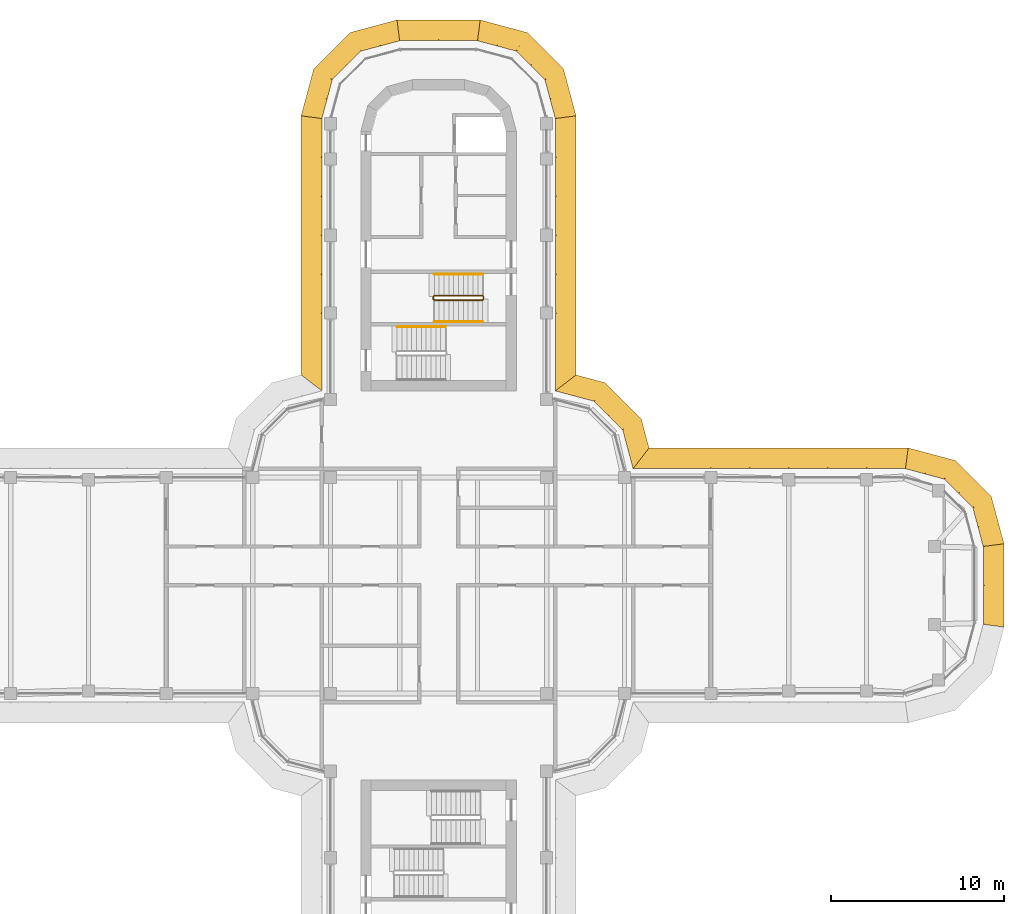
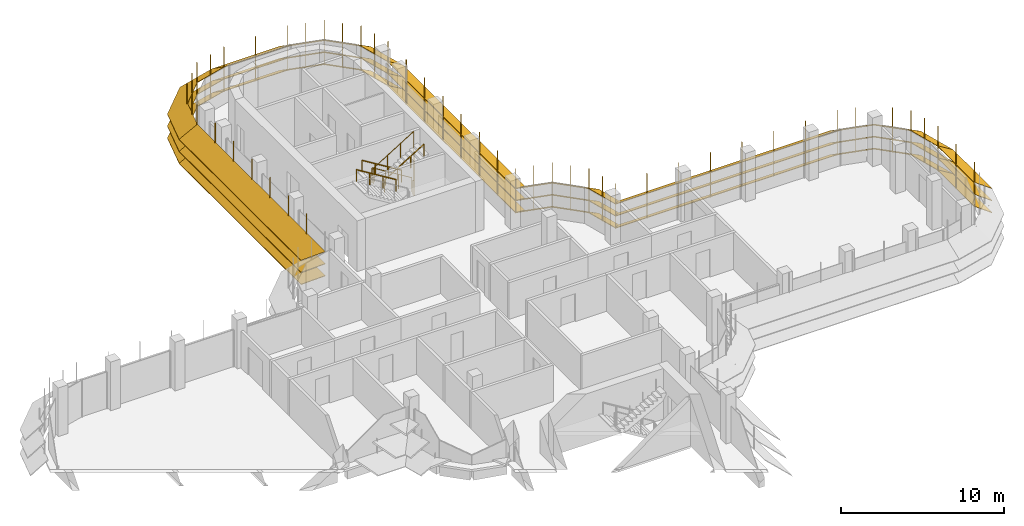
# One storey, part 18 of 18: 9 shading devices, 4 railings.
"""IFC4 building model written with IfcOpenShell, lengths in metres."""

from ifc_helpers import new_model, si_unit, direction, frame, origin, origin_2d, place, context, subcontext, project, spatial, polyline, circle, outline, extrude, faceted_brep, source, transform, mapped, material, type_object, element, save


model = new_model("IFC4")

# Units and contexts
model_context = context("Model", 3, precision=1e-05, world=origin(), true_north=direction((0.0, 1.0)))
body_context = subcontext(model_context, "Body", "Model", "MODEL_VIEW")
ifc_project = project(units=[si_unit("LENGTHUNIT", "METRE"), si_unit("AREAUNIT", "SQUARE_METRE"), si_unit("VOLUMEUNIT", "CUBIC_METRE"), si_unit("PLANEANGLEUNIT", "RADIAN"), si_unit("MASSUNIT", "GRAM", prefix="KILO")], contexts=[model_context])

# Site, building, storey
site_placement = place(None, origin())
site = spatial("IfcSite", under=ifc_project, at=site_placement, CompositionType="ELEMENT")
building_placement = place(site_placement, origin())
building = spatial("IfcBuilding", under=site, at=building_placement, Name="Zarbagh Exchange Tower", CompositionType="ELEMENT")
storey_placement = place(building_placement, frame((0.0, 0.0, 210.60009765625)))
storey = spatial("IfcBuildingStorey", under=building, at=storey_placement, Name="L51", CompositionType="ELEMENT", Elevation=210.60009765625)

# Railings
ifc_material_1 = material(Name="Stainless steel", Category="steel")
railing_type_1 = type_object("IfcRailingType", Name="Stair guard 1100 mm", PredefinedType="GUARDRAIL", material=ifc_material_1)
railing_1_placement = place(storey_placement, frame((2.550048828125, 16.75, 0.172607421875)))
element("IfcRailing", 1, at=railing_1_placement, inside=storey, type_object=railing_type_1, Name="ST1 stair guard 1", PredefinedType="GUARDRAIL", context=body_context, shape_type="SweptSolid", body=[
    extrude(circle(Radius=0.02392578125, at=origin_2d()), frame((0.0, 0.0, 1.076171875), z_axis=(-0.851089632645, 0.0, 0.525020415988), x_axis=(0.0, -1.0, 0.0)), (0.0, 0.0, 1.0), 3.2900390625),
    extrude(circle(Radius=0.02392578125, at=origin_2d()), frame((-2.800048828125, 0.0, 2.80322265625), z_axis=(-0.707106781187, -0.707106781187, 0.0), x_axis=(0.707106781187, -0.707106781187, 0.0)), (0.0, 0.0, 1.0), 0.07080078125),
    extrude(circle(Radius=0.02392578125, at=origin_2d()), frame((-2.85009765625, -0.050048828125, 2.80322265625), z_axis=(0.0, -1.0, 0.0), x_axis=(1.0, 0.0, 0.0)), (0.0, 0.0, 1.0), 0.14990234375),
    extrude(circle(Radius=0.02392578125, at=origin_2d()), frame((-2.85009765625, -0.199951171875, 2.80322265625), z_axis=(0.268277960024, -0.268277960024, 0.925231793839), x_axis=(0.707106781187, 0.707106781187, 0.0)), (0.0, 0.0, 1.0), 0.1865234375),
    extrude(circle(Radius=0.02392578125, at=origin_2d()), frame((-2.800048828125, -0.25, 2.97607421875), z_axis=(0.851089632645, 0.0, 0.525020415988), x_axis=(0.0, 1.0, 0.0)), (0.0, 0.0, 1.0), 3.2900390625),
    extrude(circle(Radius=0.02392578125, at=origin_2d()), frame((0.0, -0.25, 4.703125), z_axis=(0.013169136761, 0.013169136761, -0.999826558796), x_axis=(-0.707106781187, 0.707106781187, 0.0)), (0.0, 0.0, 1.0), 3.800537109375),
    extrude(circle(Radius=0.02392578125, at=origin_2d()), frame((0.050048828125, -0.199951171875, 0.9033203125), z_axis=(0.0, 1.0, 0.0), x_axis=(-1.0, 0.0, 0.0)), (0.0, 0.0, 1.0), 0.14990234375),
    extrude(circle(Radius=0.02099609375, at=origin_2d()), origin(), (0.0, 0.0, 1.0), 1.052001953125),
    extrude(circle(Radius=0.02099609375, at=origin_2d()), frame((-0.933349609375, 0.0, 0.57568359375)), (0.0, 0.0, 1.0), 1.052001953125),
    extrude(circle(Radius=0.02099609375, at=origin_2d()), frame((-1.86669921875, 0.0, 1.151611328125)), (0.0, 0.0, 1.0), 1.052001953125),
    extrude(circle(Radius=0.02099609375, at=origin_2d()), frame((-2.800048828125, 0.0, 1.727294921875)), (0.0, 0.0, 1.0), 1.052001953125),
    extrude(circle(Radius=0.02099609375, at=origin_2d()), frame((-2.85009765625, -0.050048828125, 1.727294921875)), (0.0, 0.0, 1.0), 1.052001953125),
    extrude(circle(Radius=0.02099609375, at=origin_2d()), frame((-2.85009765625, -0.199951171875, 1.727294921875)), (0.0, 0.0, 1.0), 1.052001953125),
    extrude(circle(Radius=0.02099609375, at=origin_2d()), frame((-2.800048828125, -0.25, 1.89990234375)), (0.0, 0.0, 1.0), 1.052001953125),
    extrude(circle(Radius=0.02099609375, at=origin_2d()), frame((-1.86669921875, -0.25, 2.4755859375)), (0.0, 0.0, 1.0), 1.052001953125),
    extrude(circle(Radius=0.02099609375, at=origin_2d()), frame((-0.933349609375, -0.25, 3.051513671875)), (0.0, 0.0, 1.0), 1.052001953125),
    extrude(circle(Radius=0.02099609375, at=origin_2d()), frame((0.0, -0.25, 3.627197265625)), (0.0, 0.0, 1.0), 1.052001953125),
    extrude(circle(Radius=0.02099609375, at=origin_2d()), frame((0.012451171875, -0.237548828125, 2.67724609375)), (0.0, 0.0, 1.0), 1.052001953125),
    extrude(circle(Radius=0.02099609375, at=origin_2d()), frame((0.02490234375, -0.22509765625, 1.727294921875)), (0.0, 0.0, 1.0), 1.052001953125),
    extrude(circle(Radius=0.02099609375, at=origin_2d()), frame((0.03759765625, -0.21240234375, 0.77734375)), (0.0, 0.0, 1.0), 1.052001953125),
    extrude(circle(Radius=0.02099609375, at=origin_2d()), frame((0.050048828125, -0.199951171875, -0.172607421875)), (0.0, 0.0, 1.0), 1.052001953125),
    extrude(circle(Radius=0.02099609375, at=origin_2d()), frame((0.050048828125, -0.050048828125, -0.172607421875)), (0.0, 0.0, 1.0), 1.052001953125),
])
railing_type_2 = type_object("IfcRailingType", Name="Stair handrail 900 mm", PredefinedType="HANDRAIL", material=ifc_material_1)
railing_2_placement = place(storey_placement, frame((2.550048828125, 18.0, 0.172607421875)))
element("IfcRailing", 2, at=railing_2_placement, inside=storey, type_object=railing_type_2, Name="ST1 stair handrail 1", PredefinedType="HANDRAIL", context=body_context, shape_type="SweptSolid", body=[
    extrude(circle(Radius=0.02392578125, at=origin_2d()), frame((0.0, 0.0, 0.8759765625), z_axis=(-0.851089632645, 0.0, 0.525020415988), x_axis=(0.0, -1.0, 0.0)), (0.0, 0.0, 1.0), 3.2900390625),
    extrude(circle(Radius=0.02099609375, at=origin_2d()), origin(), (0.0, 0.0, 1.0), 0.851806640625),
    extrude(circle(Radius=0.02099609375, at=origin_2d()), frame((-0.933349609375, 0.0, 0.57568359375)), (0.0, 0.0, 1.0), 0.851806640625),
    extrude(circle(Radius=0.02099609375, at=origin_2d()), frame((-1.86669921875, 0.0, 1.151611328125)), (0.0, 0.0, 1.0), 0.851806640625),
    extrude(circle(Radius=0.02099609375, at=origin_2d()), frame((-2.800048828125, 0.0, 1.727294921875)), (0.0, 0.0, 1.0), 0.851806640625),
])
railing_3_placement = place(storey_placement, frame((-0.25, 15.25, 2.072509765625)))
element("IfcRailing", 3, at=railing_3_placement, inside=storey, type_object=railing_type_2, Name="ST1 stair handrail 2", PredefinedType="HANDRAIL", context=body_context, shape_type="SweptSolid", body=[
    extrude(circle(Radius=0.02392578125, at=origin_2d()), frame((0.0, 0.0, 0.8759765625), z_axis=(0.851089632645, 0.0, 0.525020415988), x_axis=(0.0, 1.0, 0.0)), (0.0, 0.0, 1.0), 3.2900390625),
    extrude(circle(Radius=0.02099609375, at=origin_2d()), origin(), (0.0, 0.0, 1.0), 0.851806640625),
    extrude(circle(Radius=0.02099609375, at=origin_2d()), frame((0.933349609375, 0.0, 0.57568359375)), (0.0, 0.0, 1.0), 0.851806640625),
    extrude(circle(Radius=0.02099609375, at=origin_2d()), frame((1.86669921875, 0.0, 1.151611328125)), (0.0, 0.0, 1.0), 0.851806640625),
    extrude(circle(Radius=0.02099609375, at=origin_2d()), frame((2.800048828125, 0.0, 1.727294921875)), (0.0, 0.0, 1.0), 0.851806640625),
])
railing_4_placement = place(storey_placement, frame((0.39990234375, 14.949951171875, 2.072509765625)))
element("IfcRailing", 4, at=railing_4_placement, inside=storey, type_object=railing_type_2, Name="ST2 stair handrail 2", PredefinedType="HANDRAIL", context=body_context, shape_type="SweptSolid", body=[
    extrude(circle(Radius=0.02392578125, at=origin_2d()), frame((0.0, 0.0, 0.8759765625), z_axis=(-0.851069175582, 0.0, 0.525053576669), x_axis=(0.0, -1.0, 0.0)), (0.0, 0.0, 1.0), 3.289794921875),
    extrude(circle(Radius=0.02099609375, at=origin_2d()), origin(), (0.0, 0.0, 1.0), 0.851806640625),
    extrude(circle(Radius=0.02099609375, at=origin_2d()), frame((-0.933349609375, 0.0, 0.57568359375)), (0.0, 0.0, 1.0), 0.851806640625),
    extrude(circle(Radius=0.02099609375, at=origin_2d()), frame((-1.866455078125, 0.0, 1.151611328125)), (0.0, 0.0, 1.0), 0.851806640625),
    extrude(circle(Radius=0.02099609375, at=origin_2d()), frame((-2.7998046875, 0.0, 1.727294921875)), (0.0, 0.0, 1.0), 0.851806640625),
])

# Shading devices
ifc_material_2 = material(Name="Anodised aluminium blades and brackets", Category="aluminium")
shading_device_type = type_object("IfcShadingDeviceType", Name="SUNSHADE louvre band, 33.75 degree blades", PredefinedType="JALOUSIE", material=ifc_material_2)
shared_shape_1 = source(origin(), body_context, "Body", "Brep", [
    faceted_brep([(0.0, 0.0, 0.0), (0.0, 0.0, -0.048095703125), (-0.157958984375, -1.199951171875, -0.849853515625), (-0.157958984375, -1.199951171875, -0.8017578125), (2.65087890625, -1.199951171875, -0.8017578125), (2.65087890625, -1.199951171875, -0.849853515625), (2.329345703125, 0.0, -0.048095703125), (2.329345703125, 0.0, 0.0)], [[[0, 1, 2, 3]], [[4, 5, 6, 7]], [[0, 7, 6, 1]], [[1, 6, 5, 2]], [[2, 5, 4, 3]], [[3, 4, 7, 0]]]),
])
shared_shape_2 = source(origin(), body_context, "Body", "Brep", [
    faceted_brep([(0.0, 0.0, 0.0), (0.0, 0.0, -0.048095703125), (-0.321533203125, -1.199951171875, -0.849853515625), (-0.321533203125, -1.199951171875, -0.8017578125), (2.65087890625, -1.199951171875, -0.8017578125), (2.65087890625, -1.199951171875, -0.849853515625), (2.329345703125, 0.0, -0.048095703125), (2.329345703125, 0.0, 0.0)], [[[0, 1, 2, 3]], [[4, 5, 6, 7]], [[0, 7, 6, 1]], [[1, 6, 5, 2]], [[2, 5, 4, 3]], [[3, 4, 7, 0]]]),
])
shared_shape_3 = source(origin(), body_context, "Body", "Brep", [
    faceted_brep([(0.0, 0.0, 0.0), (0.0, 0.0, -0.048095703125), (-0.321533203125, -1.199951171875, -0.849853515625), (-0.321533203125, -1.199951171875, -0.8017578125), (2.4873046875, -1.199951171875, -0.8017578125), (2.4873046875, -1.199951171875, -0.849853515625), (2.329345703125, 0.0, -0.048095703125), (2.329345703125, 0.0, 0.0)], [[[0, 1, 2, 3]], [[4, 5, 6, 7]], [[0, 7, 6, 1]], [[1, 6, 5, 2]], [[2, 5, 4, 3]], [[3, 4, 7, 0]]]),
])
shared_shape_4 = source(origin(), body_context, "Body", "SweptSolid", [
    extrude(outline(polyline([(0.0, -0.012451171875), (0.06005859375, -0.012451171875), (0.06005859375, 0.012451171875), (0.0, 0.012451171875), (0.0, -0.012451171875)])), origin(), (0.0, 0.0, 1.0), 3.358154296875),
])
placement = place(storey_placement, origin())
element("IfcShadingDevice", 5, at=placement, inside=storey, type_object=shading_device_type, Name="SS33 sunshade band", PredefinedType="JALOUSIE", context=body_context, shape_type="MappedRepresentation", body=[
    mapped(shared_shape_1, transform((31.5, 2.25, 2.2998046875), x_axis=(-0.258824779902, 0.965924289636, 0.0), y_axis=(-0.965924289636, -0.258824779902, 0.0), z_axis=(0.0, 0.0, 1.0))),
    mapped(shared_shape_1, transform((31.5, 2.25, 1.39990234375), x_axis=(-0.258824779902, 0.965924289636, 0.0), y_axis=(-0.965924289636, -0.258824779902, 0.0), z_axis=(0.0, 0.0, 1.0))),
    mapped(shared_shape_1, transform((31.5, 2.25, 0.5), x_axis=(-0.258824779902, 0.965924289636, 0.0), y_axis=(-0.965924289636, -0.258824779902, 0.0), z_axis=(0.0, 0.0, 1.0))),
    mapped(shared_shape_2, transform((30.897216796875, 4.5, 2.2998046875), x_axis=(-0.707106781187, 0.707106781187, 0.0), y_axis=(-0.707106781187, -0.707106781187, 0.0), z_axis=(0.0, 0.0, 1.0))),
    mapped(shared_shape_2, transform((30.897216796875, 4.5, 1.39990234375), x_axis=(-0.707106781187, 0.707106781187, 0.0), y_axis=(-0.707106781187, -0.707106781187, 0.0), z_axis=(0.0, 0.0, 1.0))),
    mapped(shared_shape_2, transform((30.897216796875, 4.5, 0.5), x_axis=(-0.707106781187, 0.707106781187, 0.0), y_axis=(-0.707106781187, -0.707106781187, 0.0), z_axis=(0.0, 0.0, 1.0))),
    mapped(shared_shape_3, transform((29.25, 6.147216796875, 2.2998046875), x_axis=(-0.965924289636, 0.258824779902, 0.0), y_axis=(-0.258824779902, -0.965924289636, 0.0), z_axis=(0.0, 0.0, 1.0))),
    mapped(shared_shape_3, transform((29.25, 6.147216796875, 1.39990234375), x_axis=(-0.965924289636, 0.258824779902, 0.0), y_axis=(-0.258824779902, -0.965924289636, 0.0), z_axis=(0.0, 0.0, 1.0))),
    mapped(shared_shape_3, transform((29.25, 6.147216796875, 0.5), x_axis=(-0.965924289636, 0.258824779902, 0.0), y_axis=(-0.258824779902, -0.965924289636, 0.0), z_axis=(0.0, 0.0, 1.0))),
    mapped(shared_shape_4, transform((31.5, 2.25, 0.421875), x_axis=(0.991444457092, 0.130529263012, 0.0), y_axis=(-0.130529263012, 0.991444457092, 0.0), z_axis=(0.0, 0.0, 1.0))),
    mapped(shared_shape_4, transform((31.198486328125, 3.375, 0.421875), x_axis=(0.96592421511, 0.258825058029, 0.0), y_axis=(-0.258825058029, 0.96592421511, 0.0), z_axis=(0.0, 0.0, 1.0))),
    mapped(shared_shape_4, transform((30.897216796875, 4.5, 0.421875), x_axis=(0.866023812018, 0.50000275701, 0.0), y_axis=(-0.50000275701, 0.866023812018, 0.0), z_axis=(0.0, 0.0, 1.0))),
    mapped(shared_shape_4, transform((30.073486328125, 5.323486328125, 0.421875), x_axis=(0.707106781187, 0.707106781187, 0.0), y_axis=(-0.707106781187, 0.707106781187, 0.0), z_axis=(0.0, 0.0, 1.0))),
    mapped(shared_shape_4, transform((29.25, 6.147216796875, 0.421875), x_axis=(0.50000275701, 0.866023812018, 0.0), y_axis=(-0.866023812018, 0.50000275701, 0.0), z_axis=(0.0, 0.0, 1.0))),
    mapped(shared_shape_4, transform((28.125, 6.448486328125, 0.421875), x_axis=(0.258825058029, 0.96592421511, 0.0), y_axis=(-0.96592421511, 0.258825058029, 0.0), z_axis=(0.0, 0.0, 1.0))),
])
element("IfcShadingDevice", 6, at=placement, inside=storey, type_object=shading_device_type, Name="SS26 sunshade band", PredefinedType="JALOUSIE", context=body_context, shape_type="MappedRepresentation", body=[
    mapped(shared_shape_1, transform((6.75, 27.0, 2.2998046875), x_axis=(-0.258824779902, 0.965924289636, 0.0), y_axis=(-0.965924289636, -0.258824779902, 0.0), z_axis=(0.0, 0.0, 1.0))),
    mapped(shared_shape_1, transform((6.75, 27.0, 1.39990234375), x_axis=(-0.258824779902, 0.965924289636, 0.0), y_axis=(-0.965924289636, -0.258824779902, 0.0), z_axis=(0.0, 0.0, 1.0))),
    mapped(shared_shape_1, transform((6.75, 27.0, 0.5), x_axis=(-0.258824779902, 0.965924289636, 0.0), y_axis=(-0.965924289636, -0.258824779902, 0.0), z_axis=(0.0, 0.0, 1.0))),
    mapped(shared_shape_2, transform((6.147216796875, 29.25, 2.2998046875), x_axis=(-0.707106781187, 0.707106781187, 0.0), y_axis=(-0.707106781187, -0.707106781187, 0.0), z_axis=(0.0, 0.0, 1.0))),
    mapped(shared_shape_2, transform((6.147216796875, 29.25, 1.39990234375), x_axis=(-0.707106781187, 0.707106781187, 0.0), y_axis=(-0.707106781187, -0.707106781187, 0.0), z_axis=(0.0, 0.0, 1.0))),
    mapped(shared_shape_2, transform((6.147216796875, 29.25, 0.5), x_axis=(-0.707106781187, 0.707106781187, 0.0), y_axis=(-0.707106781187, -0.707106781187, 0.0), z_axis=(0.0, 0.0, 1.0))),
    mapped(shared_shape_3, transform((4.5, 30.897216796875, 2.2998046875), x_axis=(-0.965924289636, 0.258824779902, 0.0), y_axis=(-0.258824779902, -0.965924289636, 0.0), z_axis=(0.0, 0.0, 1.0))),
    mapped(shared_shape_3, transform((4.5, 30.897216796875, 1.39990234375), x_axis=(-0.965924289636, 0.258824779902, 0.0), y_axis=(-0.258824779902, -0.965924289636, 0.0), z_axis=(0.0, 0.0, 1.0))),
    mapped(shared_shape_3, transform((4.5, 30.897216796875, 0.5), x_axis=(-0.965924289636, 0.258824779902, 0.0), y_axis=(-0.258824779902, -0.965924289636, 0.0), z_axis=(0.0, 0.0, 1.0))),
    mapped(shared_shape_4, transform((6.75, 27.0, 0.421875), x_axis=(0.991444457092, 0.130529263012, 0.0), y_axis=(-0.130529263012, 0.991444457092, 0.0), z_axis=(0.0, 0.0, 1.0))),
    mapped(shared_shape_4, transform((6.448486328125, 28.125, 0.421875), x_axis=(0.96592421511, 0.258825058029, 0.0), y_axis=(-0.258825058029, 0.96592421511, 0.0), z_axis=(0.0, 0.0, 1.0))),
    mapped(shared_shape_4, transform((6.147216796875, 29.25, 0.421875), x_axis=(0.866023812018, 0.50000275701, 0.0), y_axis=(-0.50000275701, 0.866023812018, 0.0), z_axis=(0.0, 0.0, 1.0))),
    mapped(shared_shape_4, transform((5.323486328125, 30.073486328125, 0.421875), x_axis=(0.707106781187, 0.707106781187, 0.0), y_axis=(-0.707106781187, 0.707106781187, 0.0), z_axis=(0.0, 0.0, 1.0))),
    mapped(shared_shape_4, transform((4.5, 30.897216796875, 0.421875), x_axis=(0.50000275701, 0.866023812018, 0.0), y_axis=(-0.866023812018, 0.50000275701, 0.0), z_axis=(0.0, 0.0, 1.0))),
    mapped(shared_shape_4, transform((3.375, 31.198486328125, 0.421875), x_axis=(0.258825058029, 0.96592421511, 0.0), y_axis=(-0.96592421511, 0.258825058029, 0.0), z_axis=(0.0, 0.0, 1.0))),
])
element("IfcShadingDevice", 7, at=placement, inside=storey, type_object=shading_device_type, Name="SS28 sunshade band", PredefinedType="JALOUSIE", context=body_context, shape_type="MappedRepresentation", body=[
    mapped(shared_shape_1, transform((-2.25, 31.5, 2.2998046875), x_axis=(-0.965924289636, -0.258824779902, 0.0), y_axis=(0.258824779902, -0.965924289636, 0.0), z_axis=(0.0, 0.0, 1.0))),
    mapped(shared_shape_1, transform((-2.25, 31.5, 1.39990234375), x_axis=(-0.965924289636, -0.258824779902, 0.0), y_axis=(0.258824779902, -0.965924289636, 0.0), z_axis=(0.0, 0.0, 1.0))),
    mapped(shared_shape_1, transform((-2.25, 31.5, 0.5), x_axis=(-0.965924289636, -0.258824779902, 0.0), y_axis=(0.258824779902, -0.965924289636, 0.0), z_axis=(0.0, 0.0, 1.0))),
    mapped(shared_shape_2, transform((-4.5, 30.897216796875, 2.2998046875), x_axis=(-0.707106781187, -0.707106781187, 0.0), y_axis=(0.707106781187, -0.707106781187, 0.0), z_axis=(0.0, 0.0, 1.0))),
    mapped(shared_shape_2, transform((-4.5, 30.897216796875, 1.39990234375), x_axis=(-0.707106781187, -0.707106781187, 0.0), y_axis=(0.707106781187, -0.707106781187, 0.0), z_axis=(0.0, 0.0, 1.0))),
    mapped(shared_shape_2, transform((-4.5, 30.897216796875, 0.5), x_axis=(-0.707106781187, -0.707106781187, 0.0), y_axis=(0.707106781187, -0.707106781187, 0.0), z_axis=(0.0, 0.0, 1.0))),
    mapped(shared_shape_3, transform((-6.147216796875, 29.25, 2.2998046875), x_axis=(-0.258824779902, -0.965924289636, 0.0), y_axis=(0.965924289636, -0.258824779902, 0.0), z_axis=(0.0, 0.0, 1.0))),
    mapped(shared_shape_3, transform((-6.147216796875, 29.25, 1.39990234375), x_axis=(-0.258824779902, -0.965924289636, 0.0), y_axis=(0.965924289636, -0.258824779902, 0.0), z_axis=(0.0, 0.0, 1.0))),
    mapped(shared_shape_3, transform((-6.147216796875, 29.25, 0.5), x_axis=(-0.258824779902, -0.965924289636, 0.0), y_axis=(0.965924289636, -0.258824779902, 0.0), z_axis=(0.0, 0.0, 1.0))),
    mapped(shared_shape_4, transform((-2.25, 31.5, 0.421875), x_axis=(-0.130529263012, 0.991444457092, 0.0), y_axis=(-0.991444457092, -0.130529263012, 0.0), z_axis=(0.0, 0.0, 1.0))),
    mapped(shared_shape_4, transform((-3.375, 31.198486328125, 0.421875), x_axis=(-0.258825058029, 0.96592421511, 0.0), y_axis=(-0.96592421511, -0.258825058029, 0.0), z_axis=(0.0, 0.0, 1.0))),
    mapped(shared_shape_4, transform((-4.5, 30.897216796875, 0.421875), x_axis=(-0.50000275701, 0.866023812018, 0.0), y_axis=(-0.866023812018, -0.50000275701, 0.0), z_axis=(0.0, 0.0, 1.0))),
    mapped(shared_shape_4, transform((-5.323486328125, 30.073486328125, 0.421875), x_axis=(-0.707106781187, 0.707106781187, 0.0), y_axis=(-0.707106781187, -0.707106781187, 0.0), z_axis=(0.0, 0.0, 1.0))),
    mapped(shared_shape_4, transform((-6.147216796875, 29.25, 0.421875), x_axis=(-0.866023812018, 0.50000275701, 0.0), y_axis=(-0.50000275701, -0.866023812018, 0.0), z_axis=(0.0, 0.0, 1.0))),
    mapped(shared_shape_4, transform((-6.448486328125, 28.125, 0.421875), x_axis=(-0.96592421511, 0.258825058029, 0.0), y_axis=(-0.258825058029, -0.96592421511, 0.0), z_axis=(0.0, 0.0, 1.0))),
])
shared_shape_5 = source(origin(), body_context, "Body", "Brep", [
    faceted_brep([(0.0, 0.0, 0.0), (0.0, 0.0, -0.048095703125), (0.9208984375, -1.199951171875, -0.849853515625), (0.9208984375, -1.199951171875, -0.8017578125), (2.65087890625, -1.199951171875, -0.8017578125), (2.65087890625, -1.199951171875, -0.849853515625), (2.329345703125, 0.0, -0.048095703125), (2.329345703125, 0.0, 0.0)], [[[0, 1, 2, 3]], [[4, 5, 6, 7]], [[0, 7, 6, 1]], [[1, 6, 5, 2]], [[2, 5, 4, 3]], [[3, 4, 7, 0]]]),
])
shared_shape_6 = source(origin(), body_context, "Body", "Brep", [
    faceted_brep([(0.0, 0.0, 0.0), (0.0, 0.0, -0.048095703125), (-0.321533203125, -1.199951171875, -0.849853515625), (-0.321533203125, -1.199951171875, -0.8017578125), (1.40869140625, -1.199951171875, -0.8017578125), (1.40869140625, -1.199951171875, -0.849853515625), (2.329345703125, 0.0, -0.048095703125), (2.329345703125, 0.0, 0.0)], [[[0, 1, 2, 3]], [[4, 5, 6, 7]], [[0, 7, 6, 1]], [[1, 6, 5, 2]], [[2, 5, 4, 3]], [[3, 4, 7, 0]]]),
])
element("IfcShadingDevice", 8, at=placement, inside=storey, type_object=shading_device_type, Name="SS09 sunshade band", PredefinedType="JALOUSIE", context=body_context, shape_type="MappedRepresentation", body=[
    mapped(shared_shape_5, transform((11.25, 6.75, 2.2998046875), x_axis=(-0.258824779902, 0.965924289636, 0.0), y_axis=(-0.965924289636, -0.258824779902, 0.0), z_axis=(0.0, 0.0, 1.0))),
    mapped(shared_shape_5, transform((11.25, 6.75, 1.39990234375), x_axis=(-0.258824779902, 0.965924289636, 0.0), y_axis=(-0.965924289636, -0.258824779902, 0.0), z_axis=(0.0, 0.0, 1.0))),
    mapped(shared_shape_5, transform((11.25, 6.75, 0.5), x_axis=(-0.258824779902, 0.965924289636, 0.0), y_axis=(-0.965924289636, -0.258824779902, 0.0), z_axis=(0.0, 0.0, 1.0))),
    mapped(shared_shape_2, transform((10.647216796875, 9.0, 2.2998046875), x_axis=(-0.707106781187, 0.707106781187, 0.0), y_axis=(-0.707106781187, -0.707106781187, 0.0), z_axis=(0.0, 0.0, 1.0))),
    mapped(shared_shape_2, transform((10.647216796875, 9.0, 1.39990234375), x_axis=(-0.707106781187, 0.707106781187, 0.0), y_axis=(-0.707106781187, -0.707106781187, 0.0), z_axis=(0.0, 0.0, 1.0))),
    mapped(shared_shape_2, transform((10.647216796875, 9.0, 0.5), x_axis=(-0.707106781187, 0.707106781187, 0.0), y_axis=(-0.707106781187, -0.707106781187, 0.0), z_axis=(0.0, 0.0, 1.0))),
    mapped(shared_shape_6, transform((9.0, 10.647216796875, 2.2998046875), x_axis=(-0.965924289636, 0.258824779902, 0.0), y_axis=(-0.258824779902, -0.965924289636, 0.0), z_axis=(0.0, 0.0, 1.0))),
    mapped(shared_shape_6, transform((9.0, 10.647216796875, 1.39990234375), x_axis=(-0.965924289636, 0.258824779902, 0.0), y_axis=(-0.258824779902, -0.965924289636, 0.0), z_axis=(0.0, 0.0, 1.0))),
    mapped(shared_shape_6, transform((9.0, 10.647216796875, 0.5), x_axis=(-0.965924289636, 0.258824779902, 0.0), y_axis=(-0.258824779902, -0.965924289636, 0.0), z_axis=(0.0, 0.0, 1.0))),
    mapped(shared_shape_4, transform((11.25, 6.75, 0.421875), x_axis=(0.608758892, 0.793355287, 0.0), y_axis=(-0.793355287, 0.608758892, 0.0), z_axis=(0.0, 0.0, 1.0))),
    mapped(shared_shape_4, transform((10.948486328125, 7.875, 0.421875), x_axis=(0.96592421511, 0.258825058029, 0.0), y_axis=(-0.258825058029, 0.96592421511, 0.0), z_axis=(0.0, 0.0, 1.0))),
    mapped(shared_shape_4, transform((10.647216796875, 9.0, 0.421875), x_axis=(0.866023812018, 0.50000275701, 0.0), y_axis=(-0.50000275701, 0.866023812018, 0.0), z_axis=(0.0, 0.0, 1.0))),
    mapped(shared_shape_4, transform((9.823486328125, 9.823486328125, 0.421875), x_axis=(0.707106781187, 0.707106781187, 0.0), y_axis=(-0.707106781187, 0.707106781187, 0.0), z_axis=(0.0, 0.0, 1.0))),
    mapped(shared_shape_4, transform((9.0, 10.647216796875, 0.421875), x_axis=(0.50000275701, 0.866023812018, 0.0), y_axis=(-0.866023812018, 0.50000275701, 0.0), z_axis=(0.0, 0.0, 1.0))),
    mapped(shared_shape_4, transform((7.875, 10.948486328125, 0.421875), x_axis=(0.258825058029, 0.96592421511, 0.0), y_axis=(-0.96592421511, 0.258825058029, 0.0), z_axis=(0.0, 0.0, 1.0))),
])
shared_shape_7 = source(origin(), body_context, "Body", "Brep", [
    faceted_brep([(0.0, 0.0, 0.0), (0.0, 0.0, -0.048095703125), (-0.157958984375, -1.199951171875, -0.849853515625), (-0.157958984375, -1.199951171875, -0.8017578125), (4.657958984375, -1.199951171875, -0.8017578125), (4.657958984375, -1.199951171875, -0.849853515625), (4.5, 0.0, -0.048095703125), (4.5, 0.0, 0.0)], [[[0, 1, 2, 3]], [[4, 5, 6, 7]], [[0, 7, 6, 1]], [[1, 6, 5, 2]], [[2, 5, 4, 3]], [[3, 4, 7, 0]]]),
])
element("IfcShadingDevice", 9, at=placement, inside=storey, type_object=shading_device_type, Name="SS32 sunshade band", PredefinedType="JALOUSIE", context=body_context, shape_type="MappedRepresentation", body=[
    mapped(shared_shape_7, transform((31.5, -2.25, 2.2998046875), x_axis=(0.0, 1.0, 0.0), y_axis=(-1.0, 0.0, 0.0), z_axis=(0.0, 0.0, 1.0))),
    mapped(shared_shape_7, transform((31.5, -2.25, 1.39990234375), x_axis=(0.0, 1.0, 0.0), y_axis=(-1.0, 0.0, 0.0), z_axis=(0.0, 0.0, 1.0))),
    mapped(shared_shape_7, transform((31.5, -2.25, 0.5), x_axis=(0.0, 1.0, 0.0), y_axis=(-1.0, 0.0, 0.0), z_axis=(0.0, 0.0, 1.0))),
    mapped(shared_shape_4, transform((31.5, -2.25, 0.421875), x_axis=(0.991444457092, -0.130529263012, 0.0), y_axis=(0.130529263012, 0.991444457092, 0.0), z_axis=(0.0, 0.0, 1.0))),
    mapped(shared_shape_4, transform((31.5, 0.0, 0.421875), x_axis=(1.0, 0.0, 0.0), y_axis=(0.0, 1.0, 0.0), z_axis=(0.0, 0.0, 1.0))),
])
shared_shape_8 = source(origin(), body_context, "Body", "Brep", [
    faceted_brep([(0.0, 0.0, 0.0), (0.0, 0.0, -0.048095703125), (-0.157958984375, -1.199951171875, -0.849853515625), (-0.157958984375, -1.199951171875, -0.8017578125), (14.8291015625, -1.199951171875, -0.8017578125), (14.8291015625, -1.199951171875, -0.849853515625), (15.75, 0.0, -0.048095703125), (15.75, 0.0, 0.0)], [[[0, 1, 2, 3]], [[4, 5, 6, 7]], [[0, 7, 6, 1]], [[1, 6, 5, 2]], [[2, 5, 4, 3]], [[3, 4, 7, 0]]]),
])
element("IfcShadingDevice", 10, at=placement, inside=storey, type_object=shading_device_type, Name="SS34 sunshade band", PredefinedType="JALOUSIE", context=body_context, shape_type="MappedRepresentation", body=[
    mapped(shared_shape_8, transform((27.0, 6.75, 2.2998046875), x_axis=(-1.0, 0.0, 0.0), y_axis=(0.0, -1.0, 0.0), z_axis=(0.0, 0.0, 1.0))),
    mapped(shared_shape_8, transform((27.0, 6.75, 1.39990234375), x_axis=(-1.0, 0.0, 0.0), y_axis=(0.0, -1.0, 0.0), z_axis=(0.0, 0.0, 1.0))),
    mapped(shared_shape_8, transform((27.0, 6.75, 0.5), x_axis=(-1.0, 0.0, 0.0), y_axis=(0.0, -1.0, 0.0), z_axis=(0.0, 0.0, 1.0))),
    mapped(shared_shape_4, transform((27.0, 6.75, 0.421875), x_axis=(0.130529263012, 0.991444457092, 0.0), y_axis=(-0.991444457092, 0.130529263012, 0.0), z_axis=(0.0, 0.0, 1.0))),
    mapped(shared_shape_4, transform((24.75, 6.75, 0.421875), x_axis=(0.0, 1.0, 0.0), y_axis=(-1.0, 0.0, 0.0), z_axis=(0.0, 0.0, 1.0))),
    mapped(shared_shape_4, transform((22.5, 6.75, 0.421875), x_axis=(0.0, 1.0, 0.0), y_axis=(-1.0, 0.0, 0.0), z_axis=(0.0, 0.0, 1.0))),
    mapped(shared_shape_4, transform((20.25, 6.75, 0.421875), x_axis=(0.0, 1.0, 0.0), y_axis=(-1.0, 0.0, 0.0), z_axis=(0.0, 0.0, 1.0))),
    mapped(shared_shape_4, transform((18.0, 6.75, 0.421875), x_axis=(0.0, 1.0, 0.0), y_axis=(-1.0, 0.0, 0.0), z_axis=(0.0, 0.0, 1.0))),
    mapped(shared_shape_4, transform((15.75, 6.75, 0.421875), x_axis=(0.0, 1.0, 0.0), y_axis=(-1.0, 0.0, 0.0), z_axis=(0.0, 0.0, 1.0))),
    mapped(shared_shape_4, transform((13.5, 6.75, 0.421875), x_axis=(0.0, 1.0, 0.0), y_axis=(-1.0, 0.0, 0.0), z_axis=(0.0, 0.0, 1.0))),
])
shared_shape_9 = source(origin(), body_context, "Body", "Brep", [
    faceted_brep([(0.0, 0.0, 0.0), (0.0, 0.0, -0.048095703125), (0.9208984375, -1.199951171875, -0.849853515625), (0.9208984375, -1.199951171875, -0.8017578125), (15.907958984375, -1.199951171875, -0.8017578125), (15.907958984375, -1.199951171875, -0.849853515625), (15.75, 0.0, -0.048095703125), (15.75, 0.0, 0.0)], [[[0, 1, 2, 3]], [[4, 5, 6, 7]], [[0, 7, 6, 1]], [[1, 6, 5, 2]], [[2, 5, 4, 3]], [[3, 4, 7, 0]]]),
])
element("IfcShadingDevice", 11, at=placement, inside=storey, type_object=shading_device_type, Name="SS25 sunshade band", PredefinedType="JALOUSIE", context=body_context, shape_type="MappedRepresentation", body=[
    mapped(shared_shape_9, transform((6.75, 11.25, 2.2998046875), x_axis=(0.0, 1.0, 0.0), y_axis=(-1.0, 0.0, 0.0), z_axis=(0.0, 0.0, 1.0))),
    mapped(shared_shape_9, transform((6.75, 11.25, 1.39990234375), x_axis=(0.0, 1.0, 0.0), y_axis=(-1.0, 0.0, 0.0), z_axis=(0.0, 0.0, 1.0))),
    mapped(shared_shape_9, transform((6.75, 11.25, 0.5), x_axis=(0.0, 1.0, 0.0), y_axis=(-1.0, 0.0, 0.0), z_axis=(0.0, 0.0, 1.0))),
    mapped(shared_shape_4, transform((6.75, 11.25, 0.421875), x_axis=(0.793355287, 0.608758892, 0.0), y_axis=(-0.608758892, 0.793355287, 0.0), z_axis=(0.0, 0.0, 1.0))),
    mapped(shared_shape_4, transform((6.75, 13.5, 0.421875), x_axis=(1.0, 0.0, 0.0), y_axis=(0.0, 1.0, 0.0), z_axis=(0.0, 0.0, 1.0))),
    mapped(shared_shape_4, transform((6.75, 15.75, 0.421875), x_axis=(1.0, 0.0, 0.0), y_axis=(0.0, 1.0, 0.0), z_axis=(0.0, 0.0, 1.0))),
    mapped(shared_shape_4, transform((6.75, 18.0, 0.421875), x_axis=(1.0, 0.0, 0.0), y_axis=(0.0, 1.0, 0.0), z_axis=(0.0, 0.0, 1.0))),
    mapped(shared_shape_4, transform((6.75, 20.25, 0.421875), x_axis=(1.0, 0.0, 0.0), y_axis=(0.0, 1.0, 0.0), z_axis=(0.0, 0.0, 1.0))),
    mapped(shared_shape_4, transform((6.75, 22.5, 0.421875), x_axis=(1.0, 0.0, 0.0), y_axis=(0.0, 1.0, 0.0), z_axis=(0.0, 0.0, 1.0))),
    mapped(shared_shape_4, transform((6.75, 24.75, 0.421875), x_axis=(1.0, 0.0, 0.0), y_axis=(0.0, 1.0, 0.0), z_axis=(0.0, 0.0, 1.0))),
])
element("IfcShadingDevice", 12, at=placement, inside=storey, type_object=shading_device_type, Name="SS27 sunshade band", PredefinedType="JALOUSIE", context=body_context, shape_type="MappedRepresentation", body=[
    mapped(shared_shape_7, transform((2.25, 31.5, 2.2998046875), x_axis=(-1.0, 0.0, 0.0), y_axis=(0.0, -1.0, 0.0), z_axis=(0.0, 0.0, 1.0))),
    mapped(shared_shape_7, transform((2.25, 31.5, 1.39990234375), x_axis=(-1.0, 0.0, 0.0), y_axis=(0.0, -1.0, 0.0), z_axis=(0.0, 0.0, 1.0))),
    mapped(shared_shape_7, transform((2.25, 31.5, 0.5), x_axis=(-1.0, 0.0, 0.0), y_axis=(0.0, -1.0, 0.0), z_axis=(0.0, 0.0, 1.0))),
    mapped(shared_shape_4, transform((2.25, 31.5, 0.421875), x_axis=(0.130529263012, 0.991444457092, 0.0), y_axis=(-0.991444457092, 0.130529263012, 0.0), z_axis=(0.0, 0.0, 1.0))),
    mapped(shared_shape_4, transform((0.0, 31.5, 0.421875), x_axis=(0.0, 1.0, 0.0), y_axis=(-1.0, 0.0, 0.0), z_axis=(0.0, 0.0, 1.0))),
])
element("IfcShadingDevice", 13, at=placement, inside=storey, type_object=shading_device_type, Name="SS29 sunshade band", PredefinedType="JALOUSIE", context=body_context, shape_type="MappedRepresentation", body=[
    mapped(shared_shape_8, transform((-6.75, 27.0, 2.2998046875), x_axis=(0.0, -1.0, 0.0), y_axis=(1.0, 0.0, 0.0), z_axis=(0.0, 0.0, 1.0))),
    mapped(shared_shape_8, transform((-6.75, 27.0, 1.39990234375), x_axis=(0.0, -1.0, 0.0), y_axis=(1.0, 0.0, 0.0), z_axis=(0.0, 0.0, 1.0))),
    mapped(shared_shape_8, transform((-6.75, 27.0, 0.5), x_axis=(0.0, -1.0, 0.0), y_axis=(1.0, 0.0, 0.0), z_axis=(0.0, 0.0, 1.0))),
    mapped(shared_shape_4, transform((-6.75, 27.0, 0.421875), x_axis=(-0.991444457092, 0.130529263012, 0.0), y_axis=(-0.130529263012, -0.991444457092, 0.0), z_axis=(0.0, 0.0, 1.0))),
    mapped(shared_shape_4, transform((-6.75, 24.75, 0.421875), x_axis=(-1.0, 0.0, 0.0), y_axis=(0.0, -1.0, 0.0), z_axis=(0.0, 0.0, 1.0))),
    mapped(shared_shape_4, transform((-6.75, 22.5, 0.421875), x_axis=(-1.0, 0.0, 0.0), y_axis=(0.0, -1.0, 0.0), z_axis=(0.0, 0.0, 1.0))),
    mapped(shared_shape_4, transform((-6.75, 20.25, 0.421875), x_axis=(-1.0, 0.0, 0.0), y_axis=(0.0, -1.0, 0.0), z_axis=(0.0, 0.0, 1.0))),
    mapped(shared_shape_4, transform((-6.75, 18.0, 0.421875), x_axis=(-1.0, 0.0, 0.0), y_axis=(0.0, -1.0, 0.0), z_axis=(0.0, 0.0, 1.0))),
    mapped(shared_shape_4, transform((-6.75, 15.75, 0.421875), x_axis=(-1.0, 0.0, 0.0), y_axis=(0.0, -1.0, 0.0), z_axis=(0.0, 0.0, 1.0))),
    mapped(shared_shape_4, transform((-6.75, 13.5, 0.421875), x_axis=(-1.0, 0.0, 0.0), y_axis=(0.0, -1.0, 0.0), z_axis=(0.0, 0.0, 1.0))),
])

save(model, "model.ifc")
